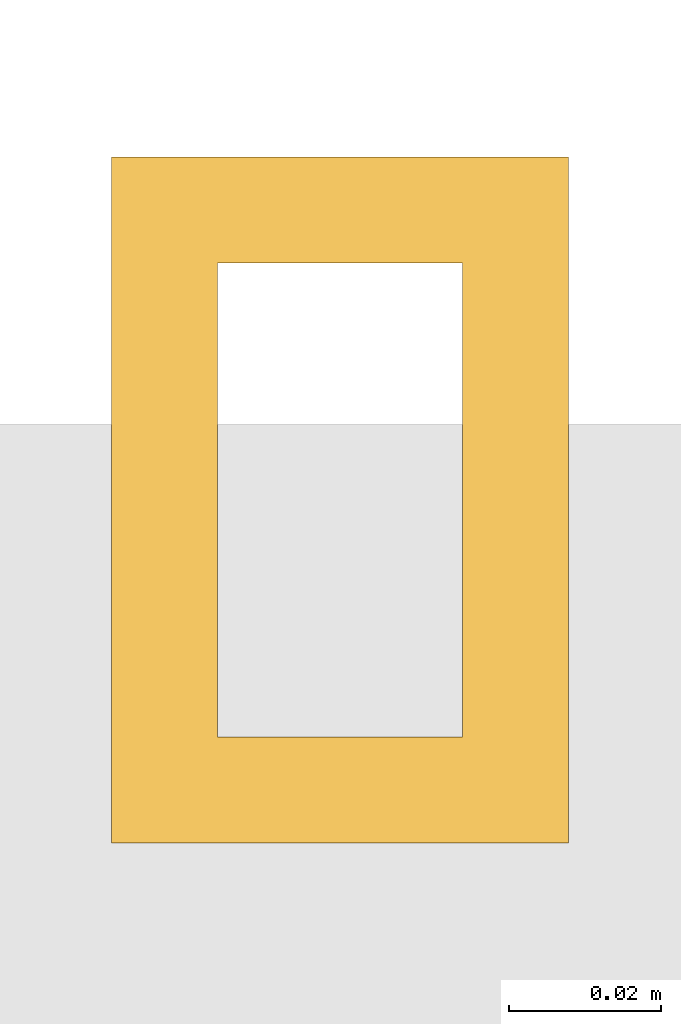
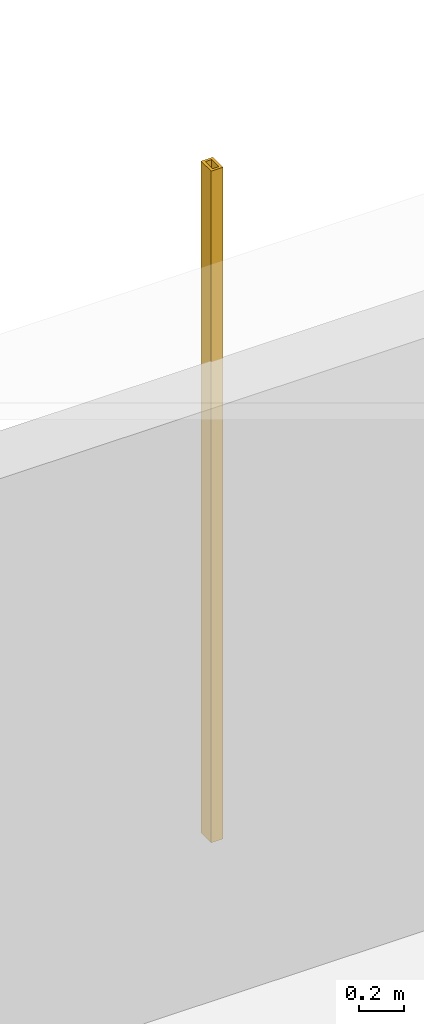
# One storey, part 29 of 30: 1 shading device.
"""IFC4 building model written with IfcOpenShell, lengths in metres."""

from ifc_helpers import new_model, si_unit, direction, frame, origin, origin_2d, place, context, subcontext, project, spatial, hollow_rectangle, extrude, material, material_profile, profile_set, type_object, element, save


model = new_model("IFC4")

# Units and contexts
model_context = context("Model", 3, precision=1e-05, world=origin(), true_north=direction((0.0, 1.0)))
body_context = subcontext(model_context, "Body", "Model", "MODEL_VIEW")
ifc_project = project(units=[si_unit("LENGTHUNIT", "METRE"), si_unit("AREAUNIT", "SQUARE_METRE"), si_unit("VOLUMEUNIT", "CUBIC_METRE"), si_unit("PLANEANGLEUNIT", "RADIAN"), si_unit("MASSUNIT", "GRAM", prefix="KILO")], contexts=[model_context])

# Site, building, storey
site_placement = place(None, origin())
site = spatial("IfcSite", under=ifc_project, at=site_placement, CompositionType="ELEMENT")
building_placement = place(site_placement, origin())
building = spatial("IfcBuilding", under=site, at=building_placement, Name="Punatoya Terracotta Tower", CompositionType="ELEMENT")
storey_placement = place(building_placement, frame((0.0, 0.0, 135.0)))
storey = spatial("IfcBuildingStorey", under=building, at=storey_placement, Name="L31", CompositionType="ELEMENT", Elevation=135.0)

# Shading device
ifc_material = material(Name="Architectural Fired Terracotta", Category="masonry")
ifc_material_profile = material_profile(ifc_material, hollow_rectangle(XDim=0.06005859375, YDim=0.090087890625, WallThickness=0.013916015625, at=origin_2d()))
ifc_profile_set = profile_set([ifc_material_profile], Name="Architectural Fired Terracotta")
shading_device_type = type_object("IfcShadingDeviceType", Name="SHD-JALI-90", PredefinedType="JALOUSIE", material=ifc_profile_set)
shading_device_placement = place(storey_placement, frame((11.49853515625, 15.0400390625, 0.60009765625), z_axis=(0.0, 0.0, 1.0), x_axis=(1.0, 0.0, 0.0)))
element("IfcShadingDevice", 1, at=shading_device_placement, inside=storey, type_object=shading_device_type, Name="L31 Braced Bay Terracotta Jali Fin N1", PredefinedType="JALOUSIE", context=body_context, shape_type="SweptSolid", body=[
    extrude(hollow_rectangle(XDim=0.06005859375, YDim=0.090087890625, WallThickness=0.013916015625, at=origin_2d()), origin(), (0.0, 0.0, 1.0), 3.619873046875),
])

save(model, "model.ifc")
